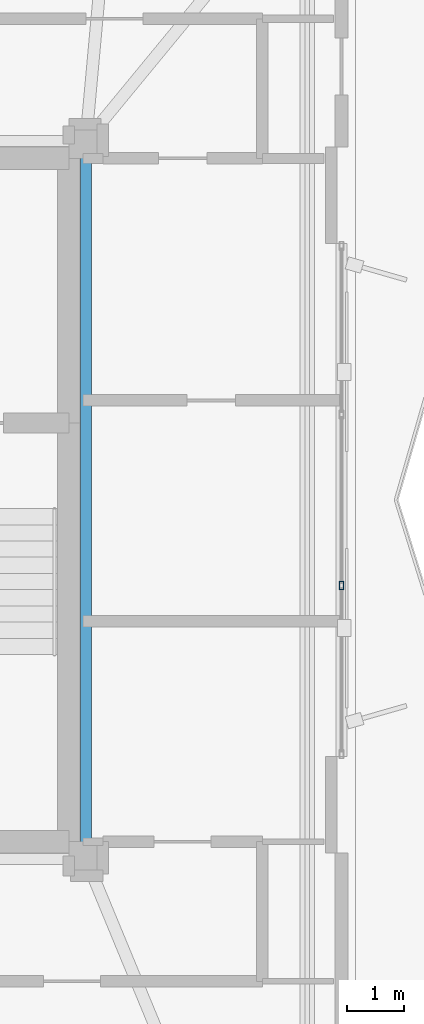
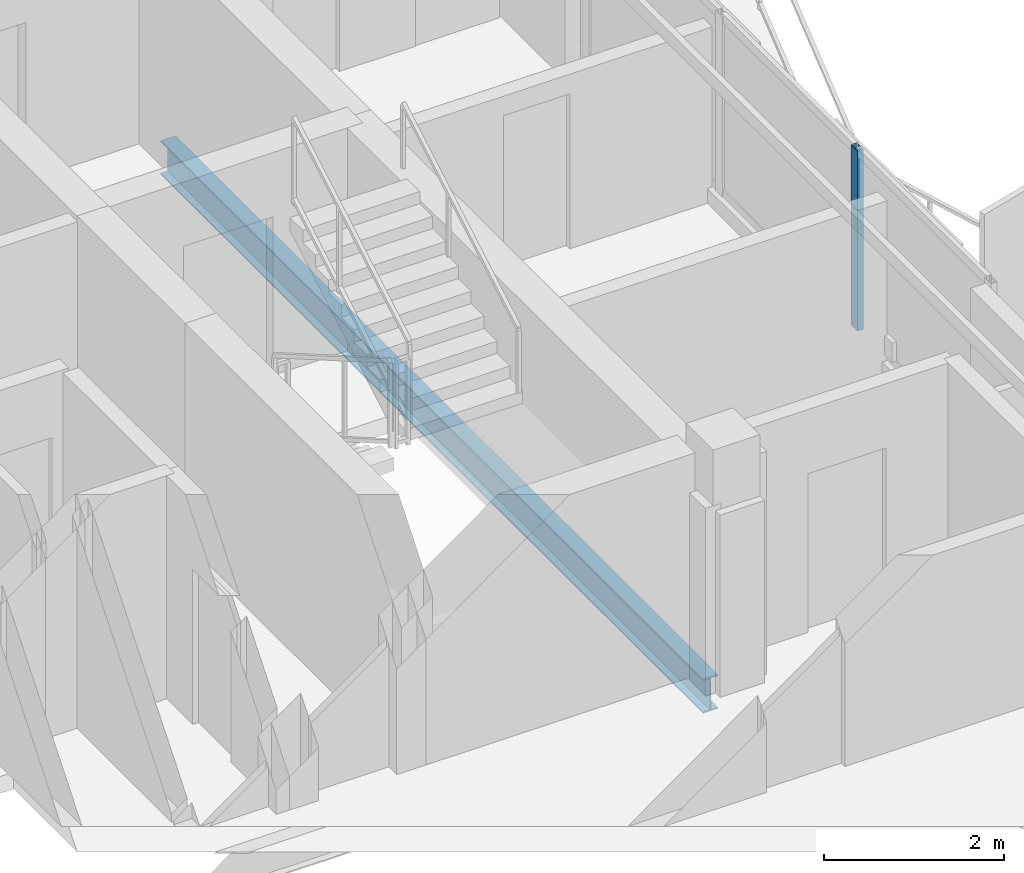
# One storey, part 11 of 21: 1 beam, 1 member, 1 element without a shape of its own.
"""IFC4 building model written with IfcOpenShell, lengths in metres."""

from ifc_helpers import new_model, si_unit, direction, frame, origin, origin_2d, place, context, subcontext, project, spatial, hollow_rectangle, i_section, extrude, material, layer, layer_set, material_profile, profile_set, type_object, element, aggregate, save


model = new_model("IFC4")

# Units and contexts
model_context = context("Model", 3, precision=1e-05, world=origin(), true_north=direction((0.0, 1.0)))
body_context = subcontext(model_context, "Body", "Model", "MODEL_VIEW")
ifc_project = project(units=[si_unit("LENGTHUNIT", "METRE"), si_unit("AREAUNIT", "SQUARE_METRE"), si_unit("VOLUMEUNIT", "CUBIC_METRE"), si_unit("PLANEANGLEUNIT", "RADIAN"), si_unit("MASSUNIT", "GRAM", prefix="KILO")], contexts=[model_context])

# Site, building, storey
site_placement = place(None, origin())
site = spatial("IfcSite", under=ifc_project, at=site_placement, CompositionType="ELEMENT")
building_placement = place(site_placement, origin())
building = spatial("IfcBuilding", under=site, at=building_placement, Name="Mersakhor Tower and Convention Hall", CompositionType="ELEMENT")
storey_placement = place(building_placement, frame((0.0, 0.0, 215.10009765625)))
storey = spatial("IfcBuildingStorey", under=building, at=storey_placement, Name="L60", CompositionType="ELEMENT", Elevation=215.10009765625)

# Beam
ifc_material_1 = material(Name="Steel S355", Category="steel")
ifc_material_profile_1 = material_profile(ifc_material_1, i_section(OverallWidth=0.19140625, OverallDepth=0.4599609375, WebThickness=0.010009765625, FlangeThickness=0.01611328125, at=origin_2d()), Name="UB 457x191x82")
ifc_profile_set_1 = profile_set([ifc_material_profile_1], Name="Steel S355")
beam_type = type_object("IfcBeamType", Name="BM-FB-457", PredefinedType="BEAM", material=ifc_profile_set_1)
beam_placement = place(storey_placement, frame((36.10009765625, 32.77001953125, -0.460205078125), z_axis=(0.0, -1.0, 0.0), x_axis=(1.0, 0.0, 0.0)))
element("IfcBeam", 1, at=beam_placement, inside=storey, type_object=beam_type, Name="L60 Core Ring Tie Beam CRB-3", PredefinedType="BEAM", context=body_context, shape_type="SweptSolid", body=[
    extrude(i_section(OverallWidth=0.19140625, OverallDepth=0.4599609375, WebThickness=0.010009765625, FlangeThickness=0.01611328125, at=origin_2d()), origin(), (0.0, 0.0, 1.0), 12.0400390625),
])

# Curtain wall, member
ifc_material_2 = material(Name="Dark solar low-E aluminium curtain wall", Category="aluminium")
ifc_layer = layer(ifc_material_2, 0.169921875)
ifc_layer_set = layer_set([ifc_layer], Name="Dark solar low-E aluminium curtain wall")
curtain_wall_type = type_object("IfcCurtainWallType", Name="CW-SYS-02", PredefinedType="USERDEFINED", material=ifc_layer_set)
curtain_wall_placement = place(storey_placement, origin())
curtain_wall = element("IfcCurtainWall", 2, at=curtain_wall_placement, inside=storey, type_object=curtain_wall_type, Name="L60 Dark-Glass Curtain Wall F2-B2", ObjectType="CURTAIN WALL", PredefinedType="USERDEFINED")
ifc_material_3 = material(Name="Anodised aluminium EN AW-6063 T6", Category="aluminium")
ifc_material_profile_2 = material_profile(ifc_material_3, hollow_rectangle(XDim=0.074951171875, YDim=0.14990234375, WallThickness=0.00634765625, at=origin_2d()), Name="RHS 150x75x6.3")
ifc_profile_set_2 = profile_set([ifc_material_profile_2], Name="Anodised aluminium EN AW-6063 T6")
member_type = type_object("IfcMemberType", Name="CWM-150x75", PredefinedType="MULLION", material=ifc_profile_set_2)
member_placement = place(storey_placement, frame((40.58837890625, 25.250244140625, 0.199951171875), z_axis=(0.0, 0.0, 1.0), x_axis=(1.0, 0.0, 0.0)))
member = element("IfcMember", 3, at=member_placement, type_object=member_type, Name="CW-02 mullion 3", PredefinedType="MULLION", context=body_context, shape_type="SweptSolid", body=[
    extrude(hollow_rectangle(XDim=0.074951171875, YDim=0.14990234375, WallThickness=0.00634765625, at=origin_2d()), origin(), (0.0, 0.0, 1.0), 2.43994140625),
])
aggregate(curtain_wall, [member])

save(model, "model.ifc")
